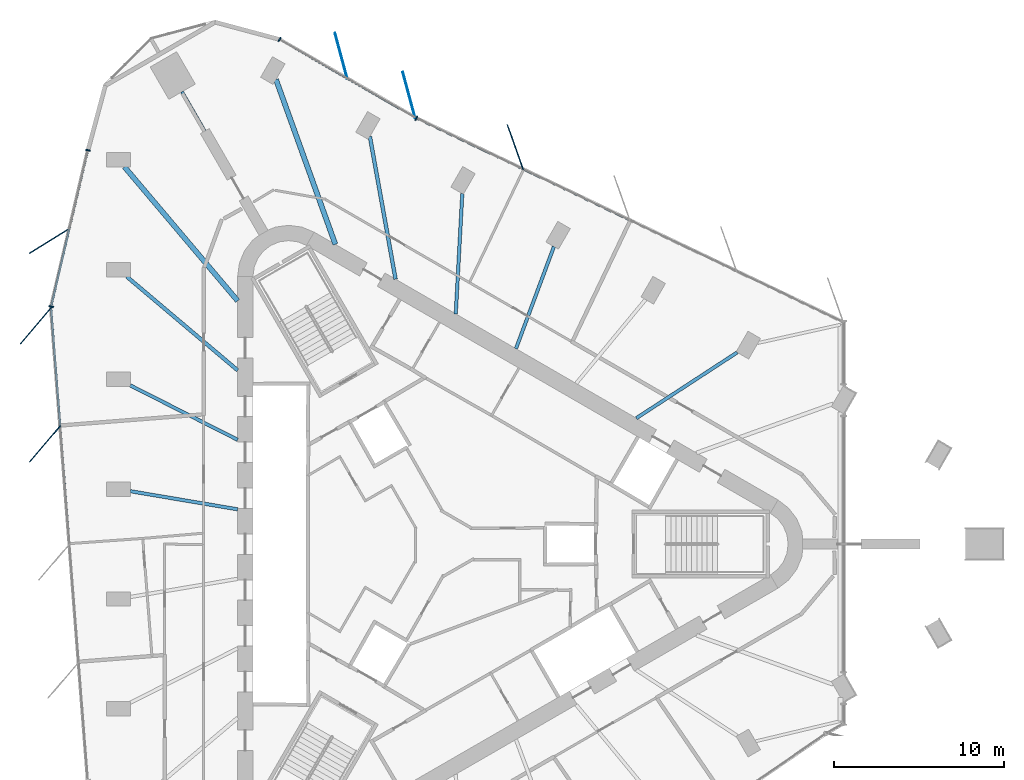
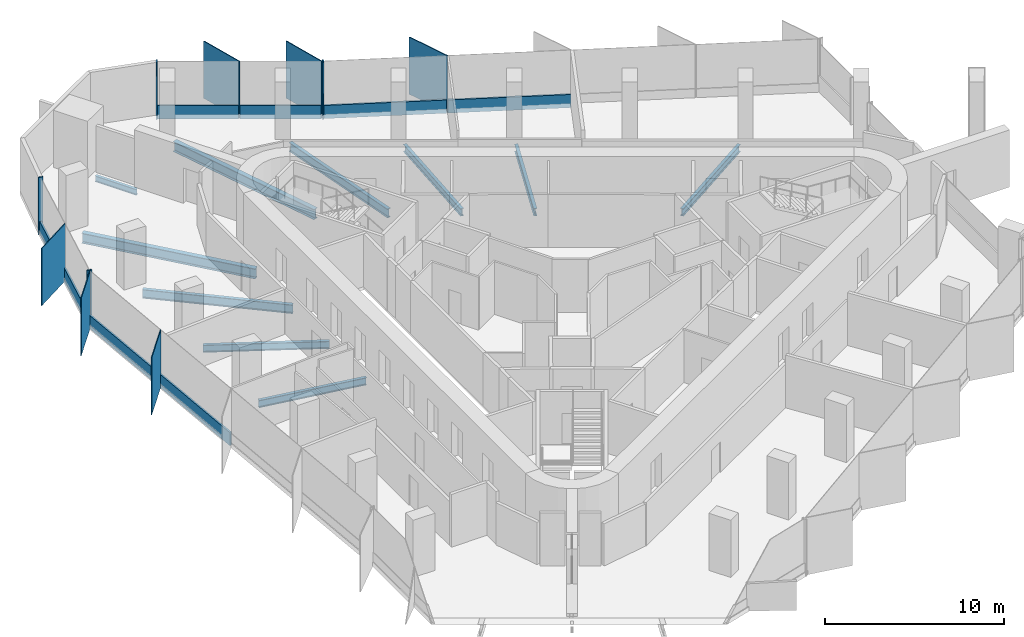
# One storey, part 4 of 12: 18 members, 10 beams, 4 elements without a shape of their own.
"""IFC4 building model written with IfcOpenShell, lengths in metres."""

from ifc_helpers import new_model, si_unit, direction, frame, origin, origin_2d, place, context, subcontext, project, spatial, rectangle, i_section, extrude, material, material_profile, profile_set, type_object, element, aggregate, save


model = new_model("IFC4")

# Units and contexts
model_context = context("Model", 3, precision=1e-05, world=origin(), true_north=direction((0.0, 1.0)))
body_context = subcontext(model_context, "Body", "Model", "MODEL_VIEW")
ifc_project = project(units=[si_unit("LENGTHUNIT", "METRE"), si_unit("AREAUNIT", "SQUARE_METRE"), si_unit("VOLUMEUNIT", "CUBIC_METRE"), si_unit("PLANEANGLEUNIT", "RADIAN"), si_unit("MASSUNIT", "GRAM", prefix="KILO")], contexts=[model_context])

# Site, building, storey
site_placement = place(None, origin())
site = spatial("IfcSite", under=ifc_project, at=site_placement, CompositionType="ELEMENT")
building_placement = place(site_placement, origin())
building = spatial("IfcBuilding", under=site, at=building_placement, Name="Tanit Gate Tower", CompositionType="ELEMENT")
storey_placement = place(building_placement, frame((0.0, 0.0, 376.699951171875)))
storey = spatial("IfcBuildingStorey", under=building, at=storey_placement, Name="L86", CompositionType="ELEMENT", Elevation=376.699951171875)

# Curtain wall, member
ifc_material_1 = material(Name="Aluminium bronze anodised and glass", Category="aluminium")
curtain_wall_type = type_object("IfcCurtainWallType", Name="Curtain wall typical high", PredefinedType="NOTDEFINED", material=ifc_material_1)
curtain_wall_1_placement = place(storey_placement, origin())
curtain_wall_1 = element("IfcCurtainWall", 1, at=curtain_wall_1_placement, inside=storey, type_object=curtain_wall_type, Name="Curtain wall L86 NE2c", PredefinedType="NOTDEFINED")
ifc_material_2 = material(Name="Aluminium bronze anodised", Category="aluminium")
ifc_material_profile_1 = material_profile(ifc_material_2, rectangle(XDim=2.800048828125, YDim=0.055908203125, at=origin_2d()), Name="56x2800 bronze fin mullion")
ifc_profile_set_1 = profile_set([ifc_material_profile_1], Name="Aluminium bronze anodised")
member_type_1 = type_object("IfcMemberType", Name="FIN MULLION 56x2800 bronze", PredefinedType="MULLION", material=ifc_profile_set_1)
member_1_placement = place(storey_placement, frame((4.23779296875, 23.365478515625, -0.300048828125), z_axis=(0.0, 0.0, 1.0), x_axis=(0.333090099539, -0.94289500242, 0.0)))
member_1 = element("IfcMember", 2, at=member_1_placement, type_object=member_type_1, Name="Fin mullion L86 NE2c.4", PredefinedType="MULLION", context=body_context, shape_type="SweptSolid", body=[
    extrude(rectangle(XDim=2.800048828125, YDim=0.055908203125, at=origin_2d()), origin(), (0.0, 0.0, 1.0), 3.900146484375),
])

# Curtain wall, members
curtain_wall_2_placement = place(storey_placement, origin())
curtain_wall_2 = element("IfcCurtainWall", 3, at=curtain_wall_2_placement, inside=storey, type_object=curtain_wall_type, Name="Curtain wall L86 NE3", PredefinedType="NOTDEFINED")
member_2_placement = place(storey_placement, frame((-2.0146484375, 26.436279296875, -0.300048828125), z_axis=(0.0, 0.0, 1.0), x_axis=(0.260143837676, -0.96556987511, 0.0)))
member_2 = element("IfcMember", 4, at=member_2_placement, type_object=member_type_1, Name="Fin mullion L86 NE3.1", PredefinedType="MULLION", context=body_context, shape_type="SweptSolid", body=[
    extrude(rectangle(XDim=2.800048828125, YDim=0.055908203125, at=origin_2d()), origin(), (0.0, 0.0, 1.0), 3.900146484375),
])
member_3_placement = place(storey_placement, frame((-6.00537109375, 28.733154296875, -0.300048828125), z_axis=(0.0, 0.0, 1.0), x_axis=(0.260143837676, -0.96556987511, 0.0)))
member_3 = element("IfcMember", 5, at=member_3_placement, type_object=member_type_1, Name="Fin mullion L86 NE3.2", PredefinedType="MULLION", context=body_context, shape_type="SweptSolid", body=[
    extrude(rectangle(XDim=2.800048828125, YDim=0.055908203125, at=origin_2d()), origin(), (0.0, 0.0, 1.0), 3.900146484375),
])

# Curtain wall, member
curtain_wall_3_placement = place(storey_placement, origin())
curtain_wall_3 = element("IfcCurtainWall", 6, at=curtain_wall_3_placement, inside=storey, type_object=curtain_wall_type, Name="Curtain wall L86 W1", PredefinedType="NOTDEFINED")
member_4_placement = place(storey_placement, frame((-23.168212890625, 17.8544921875, -0.300048828125), z_axis=(0.0, 0.0, 1.0), x_axis=(0.850209270383, 0.526444865637, 0.0)))
member_4 = element("IfcMember", 7, at=member_4_placement, type_object=member_type_1, Name="Fin mullion L86 W1.2", PredefinedType="MULLION", context=body_context, shape_type="SweptSolid", body=[
    extrude(rectangle(XDim=2.800048828125, YDim=0.055908203125, at=origin_2d()), origin(), (0.0, 0.0, 1.0), 3.900146484375),
])

# Curtain wall, members
curtain_wall_4_placement = place(storey_placement, origin())
curtain_wall_4 = element("IfcCurtainWall", 8, at=curtain_wall_4_placement, inside=storey, type_object=curtain_wall_type, Name="Curtain wall L86 W2", PredefinedType="NOTDEFINED")
member_5_placement = place(storey_placement, frame((-23.980224609375, 12.852294921875, -0.300048828125), z_axis=(0.0, 0.0, 1.0), x_axis=(0.650025975428, 0.75991198916, 0.0)))
member_5 = element("IfcMember", 9, at=member_5_placement, type_object=member_type_1, Name="Fin mullion L86 W2.1", PredefinedType="MULLION", context=body_context, shape_type="SweptSolid", body=[
    extrude(rectangle(XDim=2.800048828125, YDim=0.055908203125, at=origin_2d()), origin(), (0.0, 0.0, 1.0), 3.900146484375),
])
member_6_placement = place(storey_placement, frame((-23.438232421875, 5.900634765625, -0.300048828125), z_axis=(0.0, 0.0, 1.0), x_axis=(0.650025975428, 0.75991198916, 0.0)))
member_6 = element("IfcMember", 10, at=member_6_placement, type_object=member_type_1, Name="Fin mullion L86 W2.2", PredefinedType="MULLION", context=body_context, shape_type="SweptSolid", body=[
    extrude(rectangle(XDim=2.800048828125, YDim=0.055908203125, at=origin_2d()), origin(), (0.0, 0.0, 1.0), 3.900146484375),
])

# Member
ifc_material_3 = material(Name="Aluminium bronze anodised", Category="aluminium")
ifc_material_profile_2 = material_profile(ifc_material_3, rectangle(XDim=0.280029296875, YDim=0.080078125, at=origin_2d()), Name="80x280 bronze mullion")
ifc_profile_set_2 = profile_set([ifc_material_profile_2], Name="Aluminium bronze anodised")
member_type_2 = type_object("IfcMemberType", Name="Mullion 80x280 typical high", PredefinedType="MULLION", material=ifc_profile_set_2)
member_7_placement = place(storey_placement, frame((-1.584716796875, 25.06640625, -0.300048828125), z_axis=(0.0, 0.0, 1.0), x_axis=(-0.431197182029, -0.902257718288, 0.0)))
member_7 = element("IfcMember", 11, at=member_7_placement, type_object=member_type_2, Name="Mullion L86 NE2c.5", PredefinedType="MULLION", context=body_context, shape_type="SweptSolid", body=[
    extrude(rectangle(XDim=0.280029296875, YDim=0.080078125, at=origin_2d()), origin(), (0.0, 0.0, 1.0), 3.900146484375),
])

member_8_placement = place(storey_placement, frame((-9.63720703125, 29.697265625, -0.300048828125), z_axis=(0.0, 0.0, 1.0), x_axis=(-0.498811534695, -0.866710478104, 0.0)))
member_8 = element("IfcMember", 12, at=member_8_placement, type_object=member_type_2, Name="Mullion L86 NE3.3", PredefinedType="MULLION", context=body_context, shape_type="SweptSolid", body=[
    extrude(rectangle(XDim=0.280029296875, YDim=0.080078125, at=origin_2d()), origin(), (0.0, 0.0, 1.0), 3.900146484375),
])

member_9_placement = place(storey_placement, frame((-20.91259765625, 23.182373046875, -0.300048828125), z_axis=(0.0, 0.0, 1.0), x_axis=(0.973441474928, -0.228936006103, 0.0)))
member_9 = element("IfcMember", 13, at=member_9_placement, type_object=member_type_2, Name="Mullion L86 W1.1", PredefinedType="MULLION", context=body_context, shape_type="SweptSolid", body=[
    extrude(rectangle(XDim=0.280029296875, YDim=0.080078125, at=origin_2d()), origin(), (0.0, 0.0, 1.0), 3.900146484375),
])

member_10_placement = place(storey_placement, frame((-23.076904296875, 13.97998046875, -0.300048828125), z_axis=(0.0, 0.0, 1.0), x_axis=(0.973441474928, -0.228936006103, 0.0)))
member_10 = element("IfcMember", 14, at=member_10_placement, type_object=member_type_2, Name="Mullion L86 W1.3", PredefinedType="MULLION", context=body_context, shape_type="SweptSolid", body=[
    extrude(rectangle(XDim=0.280029296875, YDim=0.080078125, at=origin_2d()), origin(), (0.0, 0.0, 1.0), 3.900146484375),
])

# Beams
ifc_material_4 = material(Name="Steel S355", Category="steel")
ifc_material_profile_3 = material_profile(ifc_material_4, i_section(OverallWidth=0.300048828125, OverallDepth=0.68994140625, WebThickness=0.014404296875, FlangeThickness=0.027099609375, FilletRadius=0.027099609375, at=origin_2d()), Name="HEA 700")
ifc_profile_set_3 = profile_set([ifc_material_profile_3], Name="Steel S355")
beam_type_1 = type_object("IfcBeamType", Name="RADIAL GIRDER HEA 700 S355", PredefinedType="BEAM", material=ifc_profile_set_3)
beam_1_placement = place(storey_placement, frame((-9.84423828125, 27.346435546875, -0.64501953125), z_axis=(0.338716116064, -0.940888618657, 0.0), x_axis=(0.940888618657, 0.338716116064, 0.0)))
element("IfcBeam", 15, at=beam_1_placement, inside=storey, type_object=beam_type_1, Name="RADIAL GIRDER", PredefinedType="BEAM", context=body_context, shape_type="SweptSolid", body=[
    extrude(i_section(OverallWidth=0.300048828125, OverallDepth=0.68994140625, WebThickness=0.014404296875, FlangeThickness=0.027099609375, FilletRadius=0.027099609375, at=origin_2d()), origin(), (0.0, 0.0, 1.0), 10.31591796875),
])
beam_2_placement = place(storey_placement, frame((-18.7607421875, 22.198486328125, -0.64501953125), z_axis=(0.645485929832, -0.763772161308, 0.0), x_axis=(0.763772161308, 0.645485929832, 0.0)))
element("IfcBeam", 16, at=beam_2_placement, inside=storey, type_object=beam_type_1, Name="RADIAL GIRDER", PredefinedType="BEAM", context=body_context, shape_type="SweptSolid", body=[
    extrude(i_section(OverallWidth=0.300048828125, OverallDepth=0.68994140625, WebThickness=0.014404296875, FlangeThickness=0.027099609375, FilletRadius=0.027099609375, at=origin_2d()), origin(), (0.0, 0.0, 1.0), 10.315673828125),
])
ifc_material_5 = material(Name="Steel S355", Category="steel")
ifc_material_profile_4 = material_profile(ifc_material_5, i_section(OverallWidth=0.179931640625, OverallDepth=0.39990234375, WebThickness=0.008544921875, FlangeThickness=0.013427734375, FilletRadius=0.02099609375, at=origin_2d()), Name="IPE 400")
ifc_profile_set_4 = profile_set([ifc_material_profile_4], Name="Steel S355")
beam_type_2 = type_object("IfcBeamType", Name="RADIAL GIRDER IPE 400 S355", PredefinedType="BEAM", material=ifc_profile_set_4)
beam_3_placement = place(storey_placement, frame((-15.371826171875, 26.624755859375, -0.5), z_axis=(0.500020336772, -0.866013662025, 0.0), x_axis=(0.866013662025, 0.500020336772, 0.0)))
element("IfcBeam", 17, at=beam_3_placement, inside=storey, type_object=beam_type_2, Name="RADIAL GIRDER", PredefinedType="BEAM", context=body_context, shape_type="SweptSolid", body=[
    extrude(i_section(OverallWidth=0.179931640625, OverallDepth=0.39990234375, WebThickness=0.008544921875, FlangeThickness=0.013427734375, FilletRadius=0.02099609375, at=origin_2d()), origin(), (0.0, 0.0, 1.0), 2.67236328125),
])
ifc_material_6 = material(Name="Steel S355", Category="steel")
ifc_material_profile_5 = material_profile(ifc_material_6, i_section(OverallWidth=0.199951171875, OverallDepth=0.5, WebThickness=0.01025390625, FlangeThickness=0.01611328125, FilletRadius=0.02099609375, at=origin_2d()), Name="IPE 500")
ifc_profile_set_5 = profile_set([ifc_material_profile_5], Name="Steel S355")
beam_type_3 = type_object("IfcBeamType", Name="RADIAL GIRDER IPE 500 S355", PredefinedType="BEAM", material=ifc_profile_set_5)
beam_4_placement = place(storey_placement, frame((17.29931640625, 11.28173828125, -0.550048828125), z_axis=(-0.837617453042, -0.546257267557, 0.0), x_axis=(0.546257267557, -0.837617453042, 0.0)))
element("IfcBeam", 18, at=beam_4_placement, inside=storey, type_object=beam_type_3, Name="RADIAL GIRDER", PredefinedType="BEAM", context=body_context, shape_type="SweptSolid", body=[
    extrude(i_section(OverallWidth=0.199951171875, OverallDepth=0.5, WebThickness=0.01025390625, FlangeThickness=0.01611328125, FilletRadius=0.02099609375, at=origin_2d()), origin(), (0.0, 0.0, 1.0), 7.083984375),
])
beam_5_placement = place(storey_placement, frame((6.513427734375, 17.5087890625, -0.550048828125), z_axis=(-0.348675335888, -0.93724357034, 0.0), x_axis=(0.93724357034, -0.348675335888, 0.0)))
element("IfcBeam", 19, at=beam_5_placement, inside=storey, type_object=beam_type_3, Name="RADIAL GIRDER", PredefinedType="BEAM", context=body_context, shape_type="SweptSolid", body=[
    extrude(i_section(OverallWidth=0.199951171875, OverallDepth=0.5, WebThickness=0.01025390625, FlangeThickness=0.01611328125, FilletRadius=0.02099609375, at=origin_2d()), origin(), (0.0, 0.0, 1.0), 6.407470703125),
])
beam_6_placement = place(storey_placement, frame((1.12060546875, 20.62255859375, -0.550048828125), z_axis=(-0.054280812933, -0.998525709908, 0.0), x_axis=(0.998525709908, -0.054280812933, 0.0)))
element("IfcBeam", 20, at=beam_6_placement, inside=storey, type_object=beam_type_3, Name="RADIAL GIRDER", PredefinedType="BEAM", context=body_context, shape_type="SweptSolid", body=[
    extrude(i_section(OverallWidth=0.199951171875, OverallDepth=0.5, WebThickness=0.01025390625, FlangeThickness=0.01611328125, FilletRadius=0.02099609375, at=origin_2d()), origin(), (0.0, 0.0, 1.0), 7.083984375),
])
beam_7_placement = place(storey_placement, frame((-18.419921875, 9.3408203125, -0.550048828125), z_axis=(0.891876205065, -0.452279598078, 0.0), x_axis=(0.452279598078, 0.891876205065, 0.0)))
element("IfcBeam", 21, at=beam_7_placement, inside=storey, type_object=beam_type_3, Name="RADIAL GIRDER", PredefinedType="BEAM", context=body_context, shape_type="SweptSolid", body=[
    extrude(i_section(OverallWidth=0.199951171875, OverallDepth=0.5, WebThickness=0.01025390625, FlangeThickness=0.01611328125, FilletRadius=0.02099609375, at=origin_2d()), origin(), (0.0, 0.0, 1.0), 7.083740234375),
])
beam_8_placement = place(storey_placement, frame((-18.419921875, 3.113525390625, -0.550048828125), z_axis=(0.986014426504, -0.166659985375, 0.0), x_axis=(0.166659985375, 0.986014426504, 0.0)))
element("IfcBeam", 22, at=beam_8_placement, inside=storey, type_object=beam_type_3, Name="RADIAL GIRDER", PredefinedType="BEAM", context=body_context, shape_type="SweptSolid", body=[
    extrude(i_section(OverallWidth=0.199951171875, OverallDepth=0.5, WebThickness=0.01025390625, FlangeThickness=0.01611328125, FilletRadius=0.02099609375, at=origin_2d()), origin(), (0.0, 0.0, 1.0), 6.407470703125),
])
ifc_material_7 = material(Name="Steel S355", Category="steel")
ifc_material_profile_6 = material_profile(ifc_material_7, i_section(OverallWidth=0.219970703125, OverallDepth=0.60009765625, WebThickness=0.011962890625, FlangeThickness=0.01904296875, FilletRadius=0.02392578125, at=origin_2d()), Name="IPE 600")
ifc_profile_set_6 = profile_set([ifc_material_profile_6], Name="Steel S355")
beam_type_4 = type_object("IfcBeamType", Name="RADIAL GIRDER IPE 600 S355", PredefinedType="BEAM", material=ifc_profile_set_6)
beam_9_placement = place(storey_placement, frame((-4.318115234375, 23.990234375, -0.599853515625), z_axis=(0.177157433794, -0.984182525577, 0.0), x_axis=(0.984182525577, 0.177157433794, 0.0)))
element("IfcBeam", 23, at=beam_9_placement, inside=storey, type_object=beam_type_4, Name="RADIAL GIRDER", PredefinedType="BEAM", context=body_context, shape_type="SweptSolid", body=[
    extrude(i_section(OverallWidth=0.219970703125, OverallDepth=0.60009765625, WebThickness=0.011962890625, FlangeThickness=0.01904296875, FilletRadius=0.02392578125, at=origin_2d()), origin(), (0.0, 0.0, 1.0), 8.530517578125),
])
beam_10_placement = place(storey_placement, frame((-18.616943359375, 15.734619140625, -0.599853515625), z_axis=(0.763747676896, -0.645514899933, 0.0), x_axis=(0.645514899933, 0.763747676896, 0.0)))
element("IfcBeam", 24, at=beam_10_placement, inside=storey, type_object=beam_type_4, Name="RADIAL GIRDER", PredefinedType="BEAM", context=body_context, shape_type="SweptSolid", body=[
    extrude(i_section(OverallWidth=0.219970703125, OverallDepth=0.60009765625, WebThickness=0.011962890625, FlangeThickness=0.01904296875, FilletRadius=0.02392578125, at=origin_2d()), origin(), (0.0, 0.0, 1.0), 8.5302734375),
])

# Member
ifc_material_8 = material(Name="Aluminium bronze anodised", Category="aluminium")
ifc_material_profile_7 = material_profile(ifc_material_8, rectangle(XDim=0.1201171875, YDim=0.89990234375, at=origin_2d()), Name="120x900 bronze transom")
ifc_profile_set_7 = profile_set([ifc_material_profile_7], Name="Aluminium bronze anodised")
member_type_3 = type_object("IfcMemberType", Name="Transom 120x900 typical high", PredefinedType="USERDEFINED", material=ifc_profile_set_7)
member_11_placement = place(storey_placement, frame((10.94384765625, 19.078857421875, 0.150146484375), z_axis=(-0.902251839546, 0.431209482776, 0.0), x_axis=(-0.431209482776, -0.902251839546, 0.0)))
member_11 = element("IfcMember", 25, at=member_11_placement, type_object=member_type_3, Name="Transom L86 NE2c.3", ObjectType="TRANSOM", PredefinedType="USERDEFINED", context=body_context, shape_type="SweptSolid", body=[
    extrude(rectangle(XDim=0.1201171875, YDim=0.89990234375, at=origin_2d()), origin(), (0.0, 0.0, 1.0), 6.883056640625),
])

member_12_placement = place(storey_placement, frame((4.661376953125, 22.081298828125, 0.150146484375), z_axis=(-0.902251839546, 0.431209482776, 0.0), x_axis=(-0.431209482776, -0.902251839546, 0.0)))
member_12 = element("IfcMember", 26, at=member_12_placement, type_object=member_type_3, Name="Transom L86 NE2c.4", ObjectType="TRANSOM", PredefinedType="USERDEFINED", context=body_context, shape_type="SweptSolid", body=[
    extrude(rectangle(XDim=0.1201171875, YDim=0.89990234375, at=origin_2d()), origin(), (0.0, 0.0, 1.0), 6.883056640625),
])

aggregate(curtain_wall_1, [member_1, member_7, member_11, member_12])

member_13_placement = place(storey_placement, frame((-1.690185546875, 25.12353515625, 0.150146484375), z_axis=(-0.866711533499, 0.498809700888, 0.0), x_axis=(-0.498809700888, -0.866711533499, 0.0)))
member_13 = element("IfcMember", 27, at=member_13_placement, type_object=member_type_3, Name="Transom L86 NE3.1", ObjectType="TRANSOM", PredefinedType="USERDEFINED", context=body_context, shape_type="SweptSolid", body=[
    extrude(rectangle(XDim=0.1201171875, YDim=0.89990234375, at=origin_2d()), origin(), (0.0, 0.0, 1.0), 4.5244140625),
])

member_14_placement = place(storey_placement, frame((-5.680908203125, 27.42041015625, 0.150146484375), z_axis=(-0.866724958498, 0.498786373427, 0.0), x_axis=(-0.498786373427, -0.866724958498, 0.0)))
member_14 = element("IfcMember", 28, at=member_14_placement, type_object=member_type_3, Name="Transom L86 NE3.2", ObjectType="TRANSOM", PredefinedType="USERDEFINED", context=body_context, shape_type="SweptSolid", body=[
    extrude(rectangle(XDim=0.1201171875, YDim=0.89990234375, at=origin_2d()), origin(), (0.0, 0.0, 1.0), 4.524658203125),
])

aggregate(curtain_wall_2, [member_2, member_3, member_8, member_13, member_14])

member_15_placement = place(storey_placement, frame((-20.921875, 23.143310546875, 0.150146484375), z_axis=(-0.228925118087, -0.97344403553, 0.0), x_axis=(0.97344403553, -0.228925118087, 0.0)))
member_15 = element("IfcMember", 29, at=member_15_placement, type_object=member_type_3, Name="Transom L86 W1.1", ObjectType="TRANSOM", PredefinedType="USERDEFINED", context=body_context, shape_type="SweptSolid", body=[
    extrude(rectangle(XDim=0.1201171875, YDim=0.89990234375, at=origin_2d()), origin(), (0.0, 0.0, 1.0), 4.646484375),
])

member_16_placement = place(storey_placement, frame((-22.00390625, 18.542236328125, 0.150146484375), z_axis=(-0.228913409925, -0.973446788867, 0.0), x_axis=(0.973446788867, -0.228913409925, 0.0)))
member_16 = element("IfcMember", 30, at=member_16_placement, type_object=member_type_3, Name="Transom L86 W1.2", ObjectType="TRANSOM", PredefinedType="USERDEFINED", context=body_context, shape_type="SweptSolid", body=[
    extrude(rectangle(XDim=0.1201171875, YDim=0.89990234375, at=origin_2d()), origin(), (0.0, 0.0, 1.0), 4.646728515625),
])

aggregate(curtain_wall_3, [member_9, member_4, member_10, member_15, member_16])

member_17_placement = place(storey_placement, frame((-23.079833984375, 13.861328125, 0.150146484375), z_axis=(0.077709444771, -0.996976048957, 0.0), x_axis=(0.996976048957, 0.077709444771, 0.0)))
member_17 = element("IfcMember", 31, at=member_17_placement, type_object=member_type_3, Name="Transom L86 W2.1", ObjectType="TRANSOM", PredefinedType="USERDEFINED", context=body_context, shape_type="SweptSolid", body=[
    extrude(rectangle(XDim=0.1201171875, YDim=0.89990234375, at=origin_2d()), origin(), (0.0, 0.0, 1.0), 6.892822265625),
])

member_18_placement = place(storey_placement, frame((-22.5380859375, 6.909423828125, 0.150146484375), z_axis=(0.077712188941, -0.996975835058, 0.0), x_axis=(0.996975835058, 0.077712188941, 0.0)))
member_18 = element("IfcMember", 32, at=member_18_placement, type_object=member_type_3, Name="Transom L86 W2.2", ObjectType="TRANSOM", PredefinedType="USERDEFINED", context=body_context, shape_type="SweptSolid", body=[
    extrude(rectangle(XDim=0.1201171875, YDim=0.89990234375, at=origin_2d()), origin(), (0.0, 0.0, 1.0), 6.892578125),
])

aggregate(curtain_wall_4, [member_5, member_6, member_17, member_18])

save(model, "model.ifc")
